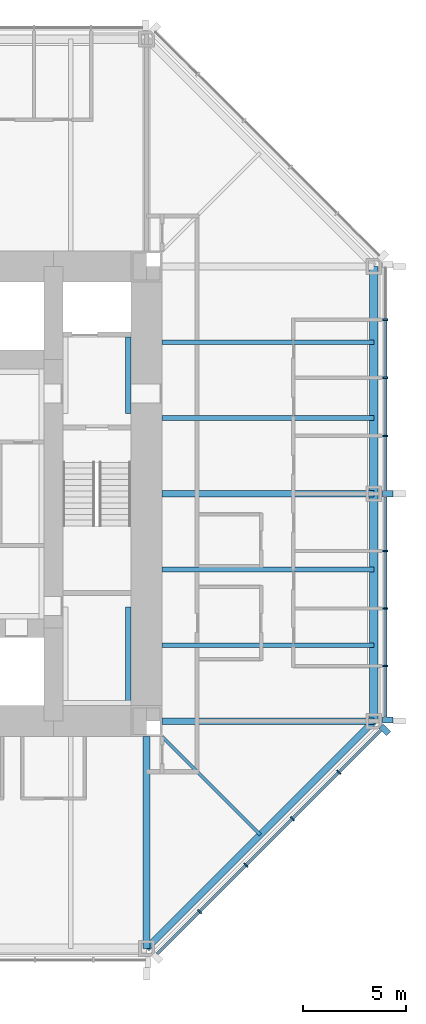
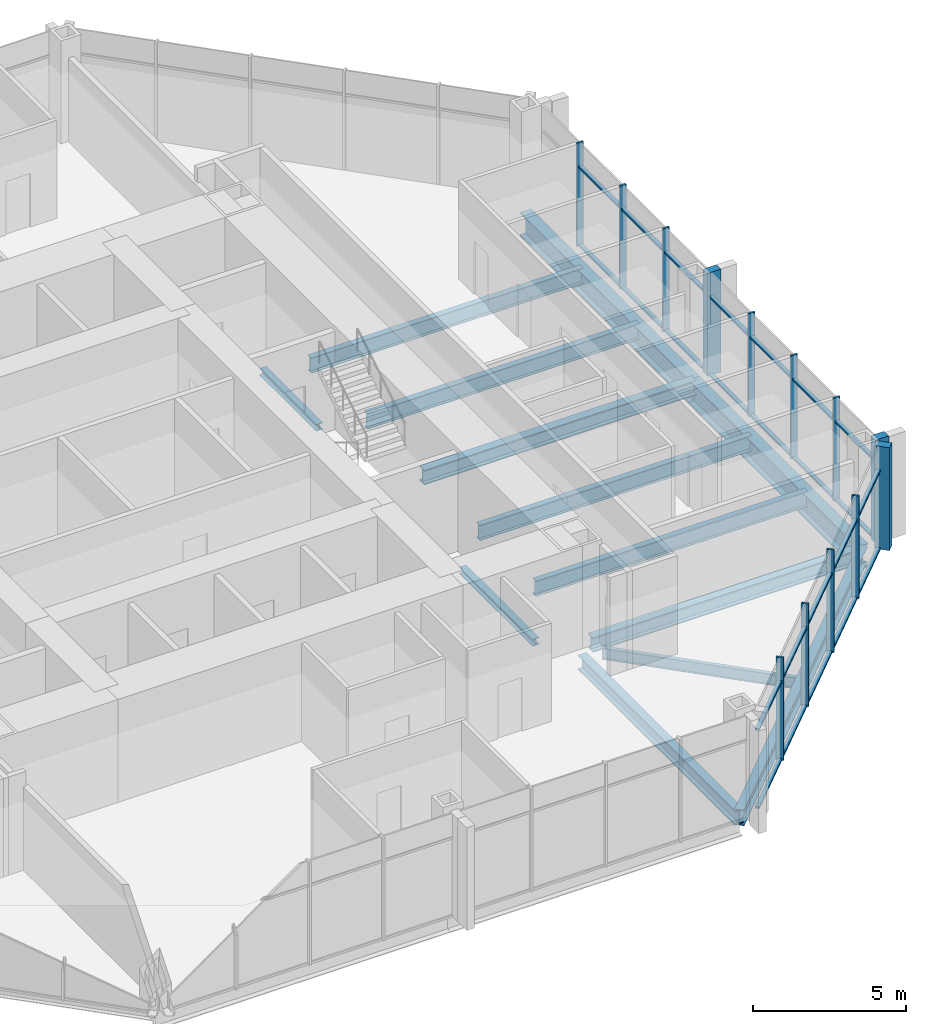
# One storey, part 4 of 14: 37 members, 13 beams, 2 elements without a shape of their own.
"""IFC4 building model written with IfcOpenShell, lengths in metres."""

from ifc_helpers import new_model, si_unit, direction, frame, origin, origin_2d, place, context, subcontext, project, spatial, rectangle, i_section, extrude, material, material_profile, profile_set, type_object, element, aggregate, save


model = new_model("IFC4")

# Units and contexts
model_context = context("Model", 3, precision=1e-05, world=origin(), true_north=direction((0.0, 1.0)))
body_context = subcontext(model_context, "Body", "Model", "MODEL_VIEW")
ifc_project = project(units=[si_unit("LENGTHUNIT", "METRE"), si_unit("AREAUNIT", "SQUARE_METRE"), si_unit("VOLUMEUNIT", "CUBIC_METRE"), si_unit("PLANEANGLEUNIT", "RADIAN"), si_unit("MASSUNIT", "GRAM", prefix="KILO")], contexts=[model_context])

# Site, building, storey
site_placement = place(None, origin())
site = spatial("IfcSite", under=ifc_project, at=site_placement, CompositionType="ELEMENT")
building_placement = place(site_placement, origin())
building = spatial("IfcBuilding", under=site, at=building_placement, Name="Trevanion Tower", CompositionType="ELEMENT")
storey_placement = place(building_placement, frame((0.0, 0.0, 109.0)))
storey = spatial("IfcBuildingStorey", under=building, at=storey_placement, Name="L25", CompositionType="ELEMENT", Elevation=109.0)

# Beams
ifc_material_1 = material(Name="Steel ASTM A992 Grade 50", Category="steel")
ifc_material_profile_1 = material_profile(ifc_material_1, i_section(OverallWidth=0.22900390625, OverallDepth=0.612060546875, WebThickness=0.011962890625, FlangeThickness=0.01953125, at=origin_2d()), Name="W24X84")
ifc_profile_set_1 = profile_set([ifc_material_profile_1], Name="Steel ASTM A992 Grade 50")
beam_type_1 = type_object("IfcBeamType", Name="B7 W24X84", PredefinedType="BEAM", material=ifc_profile_set_1)
for number, where, z_axis, x_axis, name in (
    (1, (11.75, -7.333251953125, -0.49609375), (1.0, 0.0, 0.0), (0.0, 1.0, 0.0), "B7 L25"),
    (2, (11.75, -3.666748046875, -0.49609375), (1.0, 0.0, 0.0), (0.0, 1.0, 0.0), "B7 L25"),
    (3, (11.75, 3.666748046875, -0.49609375), (1.0, 0.0, 0.0), (0.0, 1.0, 0.0), "B7 L25"),
    (4, (11.75, 7.333251953125, -0.49609375), (1.0, 0.0, 0.0), (0.0, 1.0, 0.0), "B7 L25"),
):
    element("IfcBeam", number, at=place(storey_placement, frame(where, z_axis=z_axis, x_axis=x_axis)), inside=storey, type_object=beam_type_1, Name=name, PredefinedType="BEAM", context=body_context, shape_type="SweptSolid", body=[
        extrude(i_section(OverallWidth=0.22900390625, OverallDepth=0.612060546875, WebThickness=0.011962890625, FlangeThickness=0.01953125, at=origin_2d()), origin(), (0.0, 0.0, 1.0), 10.25),
    ])
ifc_material_2 = material(Name="Steel ASTM A992 Grade 50", Category="steel")
ifc_material_profile_2 = material_profile(ifc_material_2, i_section(OverallWidth=0.15234375, OverallDepth=0.449462890625, WebThickness=0.007568359375, FlangeThickness=0.0107421875, at=origin_2d()), Name="W18X35")
ifc_profile_set_2 = profile_set([ifc_material_profile_2], Name="Steel ASTM A992 Grade 50")
beam_type_2 = type_object("IfcBeamType", Name="B8 W18X35", PredefinedType="BEAM", material=ifc_profile_set_2)
beam_1_placement = place(storey_placement, frame((11.75, -11.75, -0.414794921875), z_axis=(0.707106781187, -0.707106781187, 0.0), x_axis=(0.707106781187, 0.707106781187, 0.0)))
element("IfcBeam", 5, at=beam_1_placement, inside=storey, type_object=beam_type_2, Name="B8 L25", PredefinedType="BEAM", context=body_context, shape_type="SweptSolid", body=[
    extrude(i_section(OverallWidth=0.15234375, OverallDepth=0.449462890625, WebThickness=0.007568359375, FlangeThickness=0.0107421875, at=origin_2d()), origin(), (0.0, 0.0, 1.0), 6.717529296875),
])

# Curtain wall, members
ifc_material_3 = material(Name="Aluminium and glass", Category="aluminium")
curtain_wall_type = type_object("IfcCurtainWallType", Name="CW2 curtain wall", PredefinedType="USERDEFINED", material=ifc_material_3)
curtain_wall_1_placement = place(storey_placement, origin())
curtain_wall_1 = element("IfcCurtainWall", 6, at=curtain_wall_1_placement, inside=storey, type_object=curtain_wall_type, Name="CW2 L25 0", ObjectType="UNITISED CURTAIN WALL", PredefinedType="USERDEFINED")
ifc_material_4 = material(Name="Aluminium extrusion, anodised bronze", Category="aluminium")
ifc_material_profile_3 = material_profile(ifc_material_4, rectangle(XDim=0.074951171875, YDim=0.25, at=origin_2d()), Name="CW2 mullion")
ifc_profile_set_3 = profile_set([ifc_material_profile_3], Name="Aluminium extrusion, anodised bronze")
member_type_1 = type_object("IfcMemberType", Name="CW2 mullion", PredefinedType="MULLION", material=ifc_profile_set_3)
member_1_placement = place(storey_placement, frame((22.550048828125, -8.323486328125, -0.18994140625), z_axis=(0.0, 0.0, 1.0), x_axis=(0.0, 1.0, 0.0)))
member_1 = element("IfcMember", 7, at=member_1_placement, type_object=member_type_1, Name="CW2 mullion 2", PredefinedType="MULLION", context=body_context, shape_type="SweptSolid", body=[
    extrude(rectangle(XDim=0.074951171875, YDim=0.25, at=origin_2d()), origin(), (0.0, 0.0, 1.0), 4.099853515625),
])
member_2_placement = place(storey_placement, frame((22.550048828125, -5.548828125, -0.18994140625), z_axis=(0.0, 0.0, 1.0), x_axis=(0.0, 1.0, 0.0)))
member_2 = element("IfcMember", 8, at=member_2_placement, type_object=member_type_1, Name="CW2 mullion 3", PredefinedType="MULLION", context=body_context, shape_type="SweptSolid", body=[
    extrude(rectangle(XDim=0.074951171875, YDim=0.25, at=origin_2d()), origin(), (0.0, 0.0, 1.0), 4.099853515625),
])
member_3_placement = place(storey_placement, frame((22.550048828125, -2.7744140625, -0.18994140625), z_axis=(0.0, 0.0, 1.0), x_axis=(0.0, 1.0, 0.0)))
member_3 = element("IfcMember", 9, at=member_3_placement, type_object=member_type_1, Name="CW2 mullion 4", PredefinedType="MULLION", context=body_context, shape_type="SweptSolid", body=[
    extrude(rectangle(XDim=0.074951171875, YDim=0.25, at=origin_2d()), origin(), (0.0, 0.0, 1.0), 4.099853515625),
])
member_4_placement = place(storey_placement, frame((22.550048828125, 2.806884765625, -0.18994140625), z_axis=(0.0, 0.0, 1.0), x_axis=(0.0, 1.0, 0.0)))
member_4 = element("IfcMember", 10, at=member_4_placement, type_object=member_type_1, Name="CW2 mullion 6", PredefinedType="MULLION", context=body_context, shape_type="SweptSolid", body=[
    extrude(rectangle(XDim=0.074951171875, YDim=0.25, at=origin_2d()), origin(), (0.0, 0.0, 1.0), 4.099853515625),
])
member_5_placement = place(storey_placement, frame((22.550048828125, 5.614013671875, -0.18994140625), z_axis=(0.0, 0.0, 1.0), x_axis=(0.0, 1.0, 0.0)))
member_5 = element("IfcMember", 11, at=member_5_placement, type_object=member_type_1, Name="CW2 mullion 7", PredefinedType="MULLION", context=body_context, shape_type="SweptSolid", body=[
    extrude(rectangle(XDim=0.074951171875, YDim=0.25, at=origin_2d()), origin(), (0.0, 0.0, 1.0), 4.099853515625),
])
member_6_placement = place(storey_placement, frame((22.550048828125, 8.4208984375, -0.18994140625), z_axis=(0.0, 0.0, 1.0), x_axis=(0.0, 1.0, 0.0)))
member_6 = element("IfcMember", 12, at=member_6_placement, type_object=member_type_1, Name="CW2 mullion 8", PredefinedType="MULLION", context=body_context, shape_type="SweptSolid", body=[
    extrude(rectangle(XDim=0.074951171875, YDim=0.25, at=origin_2d()), origin(), (0.0, 0.0, 1.0), 4.099853515625),
])

curtain_wall_2_placement = place(storey_placement, origin())
curtain_wall_2 = element("IfcCurtainWall", 13, at=curtain_wall_2_placement, inside=storey, type_object=curtain_wall_type, Name="CW2 L25 7", ObjectType="UNITISED CURTAIN WALL", PredefinedType="USERDEFINED")
member_7_placement = place(storey_placement, frame((13.56591796875, -20.2119140625, -0.18994140625), z_axis=(0.0, 0.0, 1.0), x_axis=(0.707106781187, 0.707106781187, 0.0)))
member_7 = element("IfcMember", 14, at=member_7_placement, type_object=member_type_1, Name="CW2 mullion 2", PredefinedType="MULLION", context=body_context, shape_type="SweptSolid", body=[
    extrude(rectangle(XDim=0.074951171875, YDim=0.25, at=origin_2d()), origin(), (0.0, 0.0, 1.0), 4.099853515625),
])
member_8_placement = place(storey_placement, frame((15.811767578125, -17.966064453125, -0.18994140625), z_axis=(0.0, 0.0, 1.0), x_axis=(0.707106781187, 0.707106781187, 0.0)))
member_8 = element("IfcMember", 15, at=member_8_placement, type_object=member_type_1, Name="CW2 mullion 3", PredefinedType="MULLION", context=body_context, shape_type="SweptSolid", body=[
    extrude(rectangle(XDim=0.074951171875, YDim=0.25, at=origin_2d()), origin(), (0.0, 0.0, 1.0), 4.099853515625),
])
member_9_placement = place(storey_placement, frame((18.057861328125, -15.719970703125, -0.18994140625), z_axis=(0.0, 0.0, 1.0), x_axis=(0.707106781187, 0.707106781187, 0.0)))
member_9 = element("IfcMember", 16, at=member_9_placement, type_object=member_type_1, Name="CW2 mullion 4", PredefinedType="MULLION", context=body_context, shape_type="SweptSolid", body=[
    extrude(rectangle(XDim=0.074951171875, YDim=0.25, at=origin_2d()), origin(), (0.0, 0.0, 1.0), 4.099853515625),
])
member_10_placement = place(storey_placement, frame((20.303955078125, -13.473876953125, -0.18994140625), z_axis=(0.0, 0.0, 1.0), x_axis=(0.707106781187, 0.707106781187, 0.0)))
member_10 = element("IfcMember", 17, at=member_10_placement, type_object=member_type_1, Name="CW2 mullion 5", PredefinedType="MULLION", context=body_context, shape_type="SweptSolid", body=[
    extrude(rectangle(XDim=0.074951171875, YDim=0.25, at=origin_2d()), origin(), (0.0, 0.0, 1.0), 4.099853515625),
])

# Member
ifc_material_5 = material(Name="Aluminium extrusion, anodised bronze", Category="aluminium")
ifc_material_profile_4 = material_profile(ifc_material_5, rectangle(XDim=0.300048828125, YDim=0.5, at=origin_2d()), Name="CW2 pier mullion")
ifc_profile_set_4 = profile_set([ifc_material_profile_4], Name="Aluminium extrusion, anodised bronze")
member_type_2 = type_object("IfcMemberType", Name="CW2 pier mullion", PredefinedType="MULLION", material=ifc_profile_set_4)
member_11_placement = place(storey_placement, frame((22.675048828125, -10.94775390625, -0.18994140625), z_axis=(0.0, 0.0, 1.0), x_axis=(0.0, 1.0, 0.0)))
member_11 = element("IfcMember", 18, at=member_11_placement, type_object=member_type_2, Name="CW2 pier mullion 1", PredefinedType="MULLION", context=body_context, shape_type="SweptSolid", body=[
    extrude(rectangle(XDim=0.300048828125, YDim=0.5, at=origin_2d()), origin(), (0.0, 0.0, 1.0), 4.099853515625),
])

member_12_placement = place(storey_placement, frame((22.675048828125, 0.0, -0.18994140625), z_axis=(0.0, 0.0, 1.0), x_axis=(0.0, 1.0, 0.0)))
member_12 = element("IfcMember", 19, at=member_12_placement, type_object=member_type_2, Name="CW2 pier mullion 5", PredefinedType="MULLION", context=body_context, shape_type="SweptSolid", body=[
    extrude(rectangle(XDim=0.300048828125, YDim=0.5, at=origin_2d()), origin(), (0.0, 0.0, 1.0), 4.099853515625),
])

member_13_placement = place(storey_placement, frame((22.5322265625, -11.42236328125, -0.18994140625), z_axis=(0.0, 0.0, 1.0), x_axis=(0.707106781187, 0.707106781187, 0.0)))
member_13 = element("IfcMember", 20, at=member_13_placement, type_object=member_type_2, Name="CW2 pier mullion 6", PredefinedType="MULLION", context=body_context, shape_type="SweptSolid", body=[
    extrude(rectangle(XDim=0.300048828125, YDim=0.5, at=origin_2d()), origin(), (0.0, 0.0, 1.0), 4.099853515625),
])

ifc_material_6 = material(Name="Aluminium extrusion, anodised bronze", Category="aluminium")
ifc_material_profile_5 = material_profile(ifc_material_6, rectangle(XDim=0.14990234375, YDim=0.074951171875, at=origin_2d()), Name="CW2 transom")
ifc_profile_set_5 = profile_set([ifc_material_profile_5], Name="Aluminium extrusion, anodised bronze")
member_type_3 = type_object("IfcMemberType", Name="CW2 transom", PredefinedType="USERDEFINED", material=ifc_profile_set_5)
member_14_placement = place(storey_placement, frame((22.550048828125, -10.7978515625, -0.152587890625), z_axis=(0.0, 1.0, 0.0), x_axis=(-1.0, 0.0, 0.0)))
member_14 = element("IfcMember", 21, at=member_14_placement, type_object=member_type_3, Name="CW2 transom 1.1", ObjectType="TRANSOM", PredefinedType="USERDEFINED", context=body_context, shape_type="SweptSolid", body=[
    extrude(rectangle(XDim=0.14990234375, YDim=0.074951171875, at=origin_2d()), origin(), (0.0, 0.0, 1.0), 2.43701171875),
])

member_15_placement = place(storey_placement, frame((22.550048828125, -10.7978515625, 2.9599609375), z_axis=(0.0, 1.0, 0.0), x_axis=(-1.0, 0.0, 0.0)))
member_15 = element("IfcMember", 22, at=member_15_placement, type_object=member_type_3, Name="CW2 transom 1.2", ObjectType="TRANSOM", PredefinedType="USERDEFINED", context=body_context, shape_type="SweptSolid", body=[
    extrude(rectangle(XDim=0.14990234375, YDim=0.074951171875, at=origin_2d()), origin(), (0.0, 0.0, 1.0), 2.43701171875),
])

member_16_placement = place(storey_placement, frame((22.550048828125, -8.285888671875, -0.152587890625), z_axis=(0.0, 1.0, 0.0), x_axis=(-1.0, 0.0, 0.0)))
member_16 = element("IfcMember", 23, at=member_16_placement, type_object=member_type_3, Name="CW2 transom 2.1", ObjectType="TRANSOM", PredefinedType="USERDEFINED", context=body_context, shape_type="SweptSolid", body=[
    extrude(rectangle(XDim=0.14990234375, YDim=0.074951171875, at=origin_2d()), origin(), (0.0, 0.0, 1.0), 2.699462890625),
])

member_17_placement = place(storey_placement, frame((22.550048828125, -8.285888671875, 2.9599609375), z_axis=(0.0, 1.0, 0.0), x_axis=(-1.0, 0.0, 0.0)))
member_17 = element("IfcMember", 24, at=member_17_placement, type_object=member_type_3, Name="CW2 transom 2.2", ObjectType="TRANSOM", PredefinedType="USERDEFINED", context=body_context, shape_type="SweptSolid", body=[
    extrude(rectangle(XDim=0.14990234375, YDim=0.074951171875, at=origin_2d()), origin(), (0.0, 0.0, 1.0), 2.699462890625),
])

member_18_placement = place(storey_placement, frame((22.550048828125, -5.511474609375, -0.152587890625), z_axis=(0.0, 1.0, 0.0), x_axis=(-1.0, 0.0, 0.0)))
member_18 = element("IfcMember", 25, at=member_18_placement, type_object=member_type_3, Name="CW2 transom 3.1", ObjectType="TRANSOM", PredefinedType="USERDEFINED", context=body_context, shape_type="SweptSolid", body=[
    extrude(rectangle(XDim=0.14990234375, YDim=0.074951171875, at=origin_2d()), origin(), (0.0, 0.0, 1.0), 2.699462890625),
])

member_19_placement = place(storey_placement, frame((22.550048828125, -5.511474609375, 2.9599609375), z_axis=(0.0, 1.0, 0.0), x_axis=(-1.0, 0.0, 0.0)))
member_19 = element("IfcMember", 26, at=member_19_placement, type_object=member_type_3, Name="CW2 transom 3.2", ObjectType="TRANSOM", PredefinedType="USERDEFINED", context=body_context, shape_type="SweptSolid", body=[
    extrude(rectangle(XDim=0.14990234375, YDim=0.074951171875, at=origin_2d()), origin(), (0.0, 0.0, 1.0), 2.699462890625),
])

member_20_placement = place(storey_placement, frame((22.550048828125, -2.737060546875, -0.152587890625), z_axis=(0.0, 1.0, 0.0), x_axis=(-1.0, 0.0, 0.0)))
member_20 = element("IfcMember", 27, at=member_20_placement, type_object=member_type_3, Name="CW2 transom 4.1", ObjectType="TRANSOM", PredefinedType="USERDEFINED", context=body_context, shape_type="SweptSolid", body=[
    extrude(rectangle(XDim=0.14990234375, YDim=0.074951171875, at=origin_2d()), origin(), (0.0, 0.0, 1.0), 2.587158203125),
])

member_21_placement = place(storey_placement, frame((22.550048828125, -2.737060546875, 2.9599609375), z_axis=(0.0, 1.0, 0.0), x_axis=(-1.0, 0.0, 0.0)))
member_21 = element("IfcMember", 28, at=member_21_placement, type_object=member_type_3, Name="CW2 transom 4.2", ObjectType="TRANSOM", PredefinedType="USERDEFINED", context=body_context, shape_type="SweptSolid", body=[
    extrude(rectangle(XDim=0.14990234375, YDim=0.074951171875, at=origin_2d()), origin(), (0.0, 0.0, 1.0), 2.587158203125),
])

member_22_placement = place(storey_placement, frame((22.550048828125, 0.14990234375, -0.152587890625), z_axis=(0.0, 1.0, 0.0), x_axis=(-1.0, 0.0, 0.0)))
member_22 = element("IfcMember", 29, at=member_22_placement, type_object=member_type_3, Name="CW2 transom 5.1", ObjectType="TRANSOM", PredefinedType="USERDEFINED", context=body_context, shape_type="SweptSolid", body=[
    extrude(rectangle(XDim=0.14990234375, YDim=0.074951171875, at=origin_2d()), origin(), (0.0, 0.0, 1.0), 2.619384765625),
])

member_23_placement = place(storey_placement, frame((22.550048828125, 0.14990234375, 2.9599609375), z_axis=(0.0, 1.0, 0.0), x_axis=(-1.0, 0.0, 0.0)))
member_23 = element("IfcMember", 30, at=member_23_placement, type_object=member_type_3, Name="CW2 transom 5.2", ObjectType="TRANSOM", PredefinedType="USERDEFINED", context=body_context, shape_type="SweptSolid", body=[
    extrude(rectangle(XDim=0.14990234375, YDim=0.074951171875, at=origin_2d()), origin(), (0.0, 0.0, 1.0), 2.619384765625),
])

member_24_placement = place(storey_placement, frame((22.550048828125, 2.844482421875, -0.152587890625), z_axis=(0.0, 1.0, 0.0), x_axis=(-1.0, 0.0, 0.0)))
member_24 = element("IfcMember", 31, at=member_24_placement, type_object=member_type_3, Name="CW2 transom 6.1", ObjectType="TRANSOM", PredefinedType="USERDEFINED", context=body_context, shape_type="SweptSolid", body=[
    extrude(rectangle(XDim=0.14990234375, YDim=0.074951171875, at=origin_2d()), origin(), (0.0, 0.0, 1.0), 2.73193359375),
])

member_25_placement = place(storey_placement, frame((22.550048828125, 2.844482421875, 2.9599609375), z_axis=(0.0, 1.0, 0.0), x_axis=(-1.0, 0.0, 0.0)))
member_25 = element("IfcMember", 32, at=member_25_placement, type_object=member_type_3, Name="CW2 transom 6.2", ObjectType="TRANSOM", PredefinedType="USERDEFINED", context=body_context, shape_type="SweptSolid", body=[
    extrude(rectangle(XDim=0.14990234375, YDim=0.074951171875, at=origin_2d()), origin(), (0.0, 0.0, 1.0), 2.73193359375),
])

member_26_placement = place(storey_placement, frame((22.550048828125, 5.6513671875, -0.152587890625), z_axis=(0.0, 1.0, 0.0), x_axis=(-1.0, 0.0, 0.0)))
member_26 = element("IfcMember", 33, at=member_26_placement, type_object=member_type_3, Name="CW2 transom 7.1", ObjectType="TRANSOM", PredefinedType="USERDEFINED", context=body_context, shape_type="SweptSolid", body=[
    extrude(rectangle(XDim=0.14990234375, YDim=0.074951171875, at=origin_2d()), origin(), (0.0, 0.0, 1.0), 2.73193359375),
])

member_27_placement = place(storey_placement, frame((22.550048828125, 5.6513671875, 2.9599609375), z_axis=(0.0, 1.0, 0.0), x_axis=(-1.0, 0.0, 0.0)))
member_27 = element("IfcMember", 34, at=member_27_placement, type_object=member_type_3, Name="CW2 transom 7.2", ObjectType="TRANSOM", PredefinedType="USERDEFINED", context=body_context, shape_type="SweptSolid", body=[
    extrude(rectangle(XDim=0.14990234375, YDim=0.074951171875, at=origin_2d()), origin(), (0.0, 0.0, 1.0), 2.73193359375),
])

aggregate(curtain_wall_1, [member_11, member_1, member_2, member_3, member_12, member_4, member_5, member_6, member_14, member_15, member_16, member_17, member_18, member_19, member_20, member_21, member_22, member_23, member_24, member_25, member_26, member_27])

member_28_placement = place(storey_placement, frame((11.531982421875, -22.245849609375, -0.152587890625), z_axis=(0.707106781187, 0.707106781187, 0.0), x_axis=(-0.707106781187, 0.707106781187, 0.0)))
member_28 = element("IfcMember", 35, at=member_28_placement, type_object=member_type_3, Name="CW2 transom 1.1", ObjectType="TRANSOM", PredefinedType="USERDEFINED", context=body_context, shape_type="SweptSolid", body=[
    extrude(rectangle(XDim=0.14990234375, YDim=0.074951171875, at=origin_2d()), origin(), (0.0, 0.0, 1.0), 2.8388671875),
])

member_29_placement = place(storey_placement, frame((11.531982421875, -22.245849609375, 2.9599609375), z_axis=(0.707106781187, 0.707106781187, 0.0), x_axis=(-0.707106781187, 0.707106781187, 0.0)))
member_29 = element("IfcMember", 36, at=member_29_placement, type_object=member_type_3, Name="CW2 transom 1.2", ObjectType="TRANSOM", PredefinedType="USERDEFINED", context=body_context, shape_type="SweptSolid", body=[
    extrude(rectangle(XDim=0.14990234375, YDim=0.074951171875, at=origin_2d()), origin(), (0.0, 0.0, 1.0), 2.8388671875),
])

member_30_placement = place(storey_placement, frame((13.59228515625, -20.185546875, -0.152587890625), z_axis=(0.707106781187, 0.707106781187, 0.0), x_axis=(-0.707106781187, 0.707106781187, 0.0)))
member_30 = element("IfcMember", 37, at=member_30_placement, type_object=member_type_3, Name="CW2 transom 2.1", ObjectType="TRANSOM", PredefinedType="USERDEFINED", context=body_context, shape_type="SweptSolid", body=[
    extrude(rectangle(XDim=0.14990234375, YDim=0.074951171875, at=origin_2d()), origin(), (0.0, 0.0, 1.0), 3.1015625),
])

member_31_placement = place(storey_placement, frame((13.59228515625, -20.185546875, 2.9599609375), z_axis=(0.707106781187, 0.707106781187, 0.0), x_axis=(-0.707106781187, 0.707106781187, 0.0)))
member_31 = element("IfcMember", 38, at=member_31_placement, type_object=member_type_3, Name="CW2 transom 2.2", ObjectType="TRANSOM", PredefinedType="USERDEFINED", context=body_context, shape_type="SweptSolid", body=[
    extrude(rectangle(XDim=0.14990234375, YDim=0.074951171875, at=origin_2d()), origin(), (0.0, 0.0, 1.0), 3.1015625),
])

member_32_placement = place(storey_placement, frame((15.83837890625, -17.939453125, -0.152587890625), z_axis=(0.707106781187, 0.707106781187, 0.0), x_axis=(-0.707106781187, 0.707106781187, 0.0)))
member_32 = element("IfcMember", 39, at=member_32_placement, type_object=member_type_3, Name="CW2 transom 3.1", ObjectType="TRANSOM", PredefinedType="USERDEFINED", context=body_context, shape_type="SweptSolid", body=[
    extrude(rectangle(XDim=0.14990234375, YDim=0.074951171875, at=origin_2d()), origin(), (0.0, 0.0, 1.0), 3.1015625),
])

member_33_placement = place(storey_placement, frame((15.83837890625, -17.939453125, 2.9599609375), z_axis=(0.707106781187, 0.707106781187, 0.0), x_axis=(-0.707106781187, 0.707106781187, 0.0)))
member_33 = element("IfcMember", 40, at=member_33_placement, type_object=member_type_3, Name="CW2 transom 3.2", ObjectType="TRANSOM", PredefinedType="USERDEFINED", context=body_context, shape_type="SweptSolid", body=[
    extrude(rectangle(XDim=0.14990234375, YDim=0.074951171875, at=origin_2d()), origin(), (0.0, 0.0, 1.0), 3.1015625),
])

member_34_placement = place(storey_placement, frame((18.08447265625, -15.693359375, -0.152587890625), z_axis=(0.707106781187, 0.707106781187, 0.0), x_axis=(-0.707106781187, 0.707106781187, 0.0)))
member_34 = element("IfcMember", 41, at=member_34_placement, type_object=member_type_3, Name="CW2 transom 4.1", ObjectType="TRANSOM", PredefinedType="USERDEFINED", context=body_context, shape_type="SweptSolid", body=[
    extrude(rectangle(XDim=0.14990234375, YDim=0.074951171875, at=origin_2d()), origin(), (0.0, 0.0, 1.0), 3.10107421875),
])

member_35_placement = place(storey_placement, frame((18.08447265625, -15.693359375, 2.9599609375), z_axis=(0.707106781187, 0.707106781187, 0.0), x_axis=(-0.707106781187, 0.707106781187, 0.0)))
member_35 = element("IfcMember", 42, at=member_35_placement, type_object=member_type_3, Name="CW2 transom 4.2", ObjectType="TRANSOM", PredefinedType="USERDEFINED", context=body_context, shape_type="SweptSolid", body=[
    extrude(rectangle(XDim=0.14990234375, YDim=0.074951171875, at=origin_2d()), origin(), (0.0, 0.0, 1.0), 3.10107421875),
])

member_36_placement = place(storey_placement, frame((20.33056640625, -13.447509765625, -0.152587890625), z_axis=(0.707063781595, 0.707149778163, 0.0), x_axis=(-0.707149778163, 0.707063781595, 0.0)))
member_36 = element("IfcMember", 43, at=member_36_placement, type_object=member_type_3, Name="CW2 transom 5.1", ObjectType="TRANSOM", PredefinedType="USERDEFINED", context=body_context, shape_type="SweptSolid", body=[
    extrude(rectangle(XDim=0.14990234375, YDim=0.074951171875, at=origin_2d()), origin(), (0.0, 0.0, 1.0), 2.8388671875),
])

member_37_placement = place(storey_placement, frame((20.33056640625, -13.447509765625, 2.9599609375), z_axis=(0.707063781595, 0.707149778163, 0.0), x_axis=(-0.707149778163, 0.707063781595, 0.0)))
member_37 = element("IfcMember", 44, at=member_37_placement, type_object=member_type_3, Name="CW2 transom 5.2", ObjectType="TRANSOM", PredefinedType="USERDEFINED", context=body_context, shape_type="SweptSolid", body=[
    extrude(rectangle(XDim=0.14990234375, YDim=0.074951171875, at=origin_2d()), origin(), (0.0, 0.0, 1.0), 2.8388671875),
])

aggregate(curtain_wall_2, [member_7, member_8, member_9, member_10, member_13, member_28, member_29, member_30, member_31, member_32, member_33, member_34, member_35, member_36, member_37])

# Beams
ifc_material_7 = material(Name="Steel ASTM A992 Grade 50", Category="steel")
ifc_material_profile_6 = material_profile(ifc_material_7, i_section(OverallWidth=0.320068359375, OverallDepth=0.584228515625, WebThickness=0.023193359375, FlangeThickness=0.04150390625, at=origin_2d()), Name="W21X201")
ifc_profile_set_6 = profile_set([ifc_material_profile_6], Name="Steel ASTM A992 Grade 50")
beam_type_3 = type_object("IfcBeamType", Name="G4 W21X201", PredefinedType="BEAM", material=ifc_profile_set_6)
for number, where, z_axis, x_axis, name in (
    (45, (11.75, -11.0, -0.482177734375), (1.0, 0.0, 0.0), (0.0, 1.0, 0.0), "G4 L25"),
    (46, (11.75, 0.0, -0.482177734375), (1.0, 0.0, 0.0), (0.0, 1.0, 0.0), "G4 L25"),
    (47, (11.0, -11.75, -0.482177734375), (0.0, -1.0, 0.0), (1.0, 0.0, 0.0), "G4 L25"),
):
    element("IfcBeam", number, at=place(storey_placement, frame(where, z_axis=z_axis, x_axis=x_axis)), inside=storey, type_object=beam_type_3, Name=name, PredefinedType="BEAM", context=body_context, shape_type="SweptSolid", body=[
        extrude(i_section(OverallWidth=0.320068359375, OverallDepth=0.584228515625, WebThickness=0.023193359375, FlangeThickness=0.04150390625, at=origin_2d()), origin(), (0.0, 0.0, 1.0), 10.25),
    ])
ifc_material_8 = material(Name="Steel ASTM A992 Grade 50", Category="steel")
ifc_material_profile_7 = material_profile(ifc_material_8, i_section(OverallWidth=0.256591796875, OverallDepth=0.26416015625, WebThickness=0.011962890625, FlangeThickness=0.01953125, at=origin_2d()), Name="W10X68")
ifc_profile_set_7 = profile_set([ifc_material_profile_7], Name="Steel ASTM A992 Grade 50")
beam_type_4 = type_object("IfcBeamType", Name="LB1 W10X68", PredefinedType="BEAM", material=ifc_profile_set_7)
beam_2_placement = place(storey_placement, frame((10.12158203125, 3.875, -0.33203125), z_axis=(0.0, 1.0, 0.0), x_axis=(-1.0, 0.0, 0.0)))
element("IfcBeam", 48, at=beam_2_placement, inside=storey, type_object=beam_type_4, Name="LB1 L25", PredefinedType="BEAM", context=body_context, shape_type="SweptSolid", body=[
    extrude(i_section(OverallWidth=0.256591796875, OverallDepth=0.26416015625, WebThickness=0.011962890625, FlangeThickness=0.01953125, at=origin_2d()), origin(), (0.0, 0.0, 1.0), 3.699951171875),
])
beam_3_placement = place(storey_placement, frame((10.12158203125, -10.25, -0.33203125), z_axis=(0.0, 1.0, 0.0), x_axis=(-1.0, 0.0, 0.0)))
element("IfcBeam", 49, at=beam_3_placement, inside=storey, type_object=beam_type_4, Name="LB1 L25", PredefinedType="BEAM", context=body_context, shape_type="SweptSolid", body=[
    extrude(i_section(OverallWidth=0.256591796875, OverallDepth=0.26416015625, WebThickness=0.011962890625, FlangeThickness=0.01953125, at=origin_2d()), origin(), (0.0, 0.0, 1.0), 4.77490234375),
])
ifc_material_9 = material(Name="Steel ASTM A992 Grade 50", Category="steel")
ifc_material_profile_8 = material_profile(ifc_material_9, i_section(OverallWidth=0.419189453125, OverallDepth=0.927001953125, WebThickness=0.019287109375, FlangeThickness=0.031982421875, at=origin_2d()), Name="W36X231")
ifc_profile_set_8 = profile_set([ifc_material_profile_8], Name="Steel ASTM A992 Grade 50")
beam_type_5 = type_object("IfcBeamType", Name="SB4 W36X231", PredefinedType="SPANDREL", material=ifc_profile_set_8)
for number, where, z_axis, x_axis, name in (
    (50, (22.0, -11.0, -0.653564453125), (0.0, 1.0, 0.0), (-1.0, 0.0, 0.0), "SB4 L25"),
    (51, (22.0, 0.0, -0.653564453125), (0.0, 1.0, 0.0), (-1.0, 0.0, 0.0), "SB4 L25"),
):
    element("IfcBeam", number, at=place(storey_placement, frame(where, z_axis=z_axis, x_axis=x_axis)), inside=storey, type_object=beam_type_5, Name=name, PredefinedType="SPANDREL", context=body_context, shape_type="SweptSolid", body=[
        extrude(i_section(OverallWidth=0.419189453125, OverallDepth=0.927001953125, WebThickness=0.019287109375, FlangeThickness=0.031982421875, at=origin_2d()), origin(), (0.0, 0.0, 1.0), 11.0),
    ])
ifc_material_10 = material(Name="Steel ASTM A992 Grade 50", Category="steel")
ifc_material_profile_9 = material_profile(ifc_material_10, i_section(OverallWidth=0.32763671875, OverallDepth=0.62744140625, WebThickness=0.0166015625, FlangeThickness=0.027587890625, at=origin_2d()), Name="W24X146")
ifc_profile_set_9 = profile_set([ifc_material_profile_9], Name="Steel ASTM A992 Grade 50")
beam_type_6 = type_object("IfcBeamType", Name="SB5 W24X146", PredefinedType="SPANDREL", material=ifc_profile_set_9)
beam_4_placement = place(storey_placement, frame((11.0, -22.0, -0.503662109375), z_axis=(0.707106781187, 0.707106781187, 0.0), x_axis=(-0.707106781187, 0.707106781187, 0.0)))
element("IfcBeam", 52, at=beam_4_placement, inside=storey, type_object=beam_type_6, Name="SB5 L25", PredefinedType="SPANDREL", context=body_context, shape_type="SweptSolid", body=[
    extrude(i_section(OverallWidth=0.32763671875, OverallDepth=0.62744140625, WebThickness=0.0166015625, FlangeThickness=0.027587890625, at=origin_2d()), origin(), (0.0, 0.0, 1.0), 15.556396484375),
])

save(model, "model.ifc")
